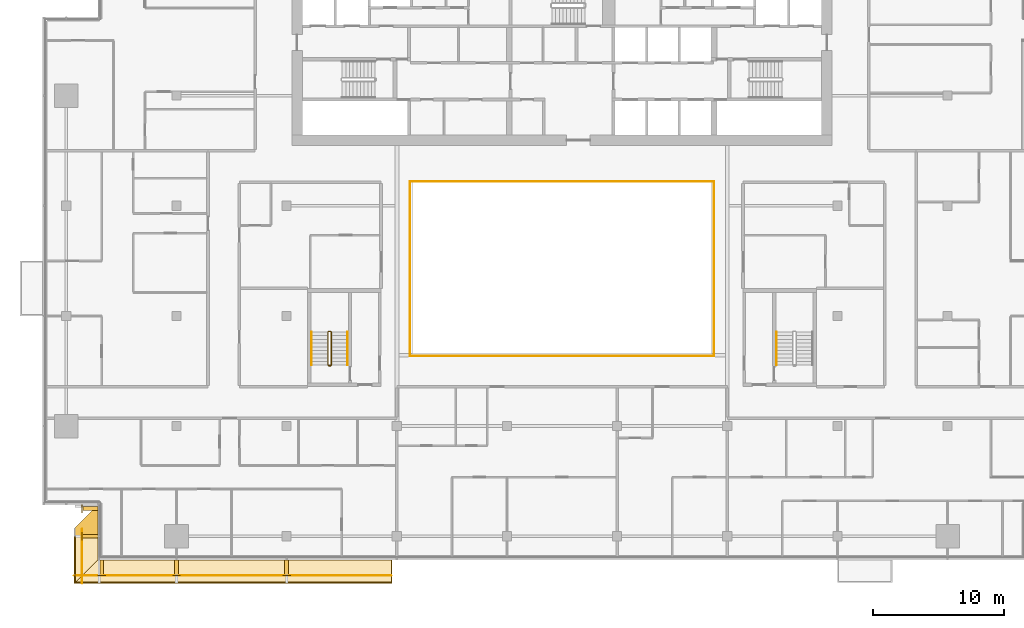
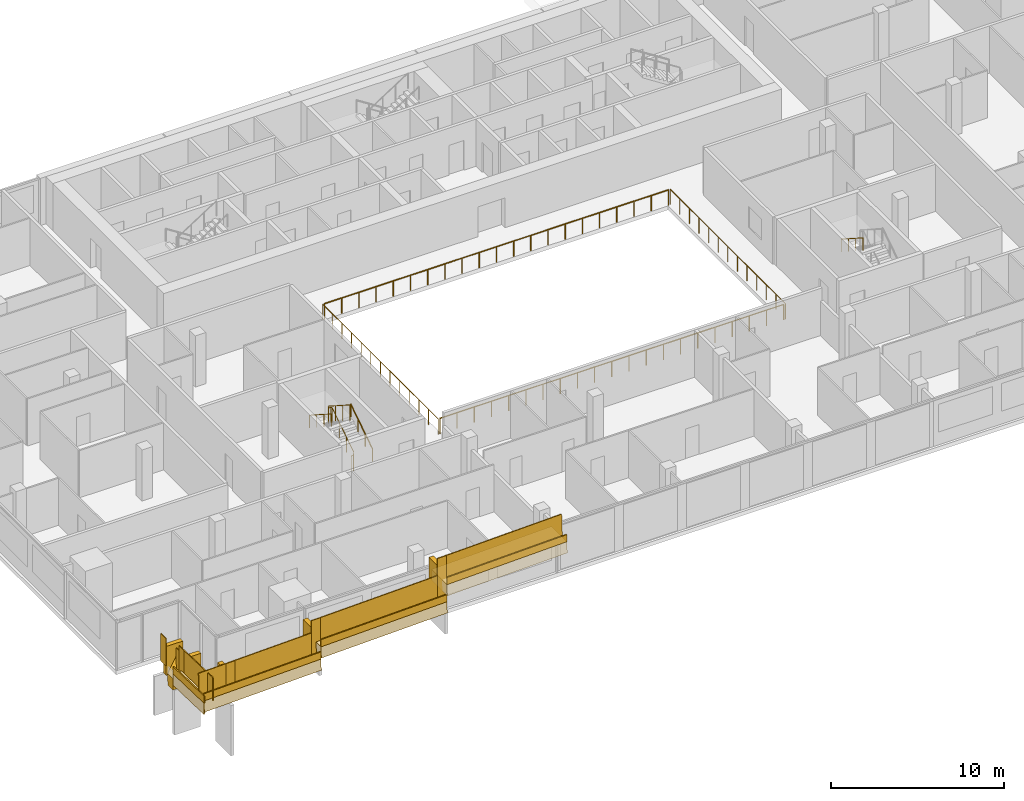
# One storey, part 26 of 30: 18 railings, 14 coverings.
"""IFC4 building model written with IfcOpenShell, lengths in metres."""

from ifc_helpers import new_model, si_unit, direction, frame, origin, origin_2d, place, context, subcontext, project, spatial, polyline, rectangle, circle, outline, extrude, material, layer, layer_set, type_object, element, save


model = new_model("IFC4")

# Units and contexts
model_context = context("Model", 3, precision=1e-05, world=origin(), true_north=direction((0.0, 1.0)))
body_context = subcontext(model_context, "Body", "Model", "MODEL_VIEW")
ifc_project = project(units=[si_unit("LENGTHUNIT", "METRE"), si_unit("AREAUNIT", "SQUARE_METRE"), si_unit("VOLUMEUNIT", "CUBIC_METRE"), si_unit("PLANEANGLEUNIT", "RADIAN"), si_unit("MASSUNIT", "GRAM", prefix="KILO")], contexts=[model_context])

# Site, building, storey
site_placement = place(None, origin())
site = spatial("IfcSite", under=ifc_project, at=site_placement, CompositionType="ELEMENT")
building_placement = place(site_placement, origin())
building = spatial("IfcBuilding", under=site, at=building_placement, Name="Saffron Gate Tower", CompositionType="ELEMENT")
storey_placement = place(building_placement, frame((0.0, 0.0, 169.050048828125)))
storey = spatial("IfcBuildingStorey", under=building, at=storey_placement, Name="L41", CompositionType="ELEMENT", Elevation=169.050048828125)

# Railings
ifc_material_1 = material(Name="Stainless steel and laminated glass", Category="steel")
railing_type_1 = type_object("IfcRailingType", Name="AG1 Atrium edge guard 1100", PredefinedType="GUARDRAIL", material=ifc_material_1)
railing_1_placement = place(storey_placement, frame((76.02001953125, 45.5400390625, 0.0)))
element("IfcRailing", 1, at=railing_1_placement, inside=storey, type_object=railing_type_1, Name="Guard C3-1", PredefinedType="GUARDRAIL", context=body_context, shape_type="SweptSolid", body=[
    extrude(circle(Radius=0.02392578125, at=origin_2d()), frame((0.0, 0.0, 1.076171875), z_axis=(0.0, 1.0, 0.0), x_axis=(-1.0, 0.0, 0.0)), (0.0, 0.0, 1.0), 13.320068359375),
    extrude(circle(Radius=0.02099609375, at=origin_2d()), origin(), (0.0, 0.0, 1.0), 1.052001953125),
    extrude(circle(Radius=0.02099609375, at=origin_2d()), frame((0.0, 1.110107421875, 0.0)), (0.0, 0.0, 1.0), 1.052001953125),
    extrude(circle(Radius=0.02099609375, at=origin_2d()), frame((0.0, 2.219970703125, 0.0)), (0.0, 0.0, 1.0), 1.052001953125),
    extrude(circle(Radius=0.02099609375, at=origin_2d()), frame((0.0, 3.330078125, 0.0)), (0.0, 0.0, 1.0), 1.052001953125),
    extrude(circle(Radius=0.02099609375, at=origin_2d()), frame((0.0, 4.43994140625, 0.0)), (0.0, 0.0, 1.0), 1.052001953125),
    extrude(circle(Radius=0.02099609375, at=origin_2d()), frame((0.0, 5.550048828125, 0.0)), (0.0, 0.0, 1.0), 1.052001953125),
    extrude(circle(Radius=0.02099609375, at=origin_2d()), frame((0.0, 6.66015625, 0.0)), (0.0, 0.0, 1.0), 1.052001953125),
    extrude(circle(Radius=0.02099609375, at=origin_2d()), frame((0.0, 7.77001953125, 0.0)), (0.0, 0.0, 1.0), 1.052001953125),
    extrude(circle(Radius=0.02099609375, at=origin_2d()), frame((0.0, 8.880126953125, 0.0)), (0.0, 0.0, 1.0), 1.052001953125),
    extrude(circle(Radius=0.02099609375, at=origin_2d()), frame((0.0, 9.989990234375, 0.0)), (0.0, 0.0, 1.0), 1.052001953125),
    extrude(circle(Radius=0.02099609375, at=origin_2d()), frame((0.0, 11.10009765625, 0.0)), (0.0, 0.0, 1.0), 1.052001953125),
    extrude(circle(Radius=0.02099609375, at=origin_2d()), frame((0.0, 12.2099609375, 0.0)), (0.0, 0.0, 1.0), 1.052001953125),
    extrude(circle(Radius=0.02099609375, at=origin_2d()), frame((0.0, 13.320068359375, 0.0)), (0.0, 0.0, 1.0), 1.052001953125),
])
railing_2_placement = place(storey_placement, frame((76.139892578125, 58.860107421875, 0.0)))
element("IfcRailing", 2, at=railing_2_placement, inside=storey, type_object=railing_type_1, Name="Guard C3-2", PredefinedType="GUARDRAIL", context=body_context, shape_type="SweptSolid", body=[
    extrude(circle(Radius=0.02392578125, at=origin_2d()), frame((0.0, 0.0, 1.076171875), z_axis=(1.0, 0.0, 0.0), x_axis=(0.0, 1.0, 0.0)), (0.0, 0.0, 1.0), 22.920166015625),
    extrude(circle(Radius=0.02099609375, at=origin_2d()), origin(), (0.0, 0.0, 1.0), 1.052001953125),
    extrude(circle(Radius=0.02099609375, at=origin_2d()), frame((1.14599609375, 0.0, 0.0)), (0.0, 0.0, 1.0), 1.052001953125),
    extrude(circle(Radius=0.02099609375, at=origin_2d()), frame((2.2919921875, 0.0, 0.0)), (0.0, 0.0, 1.0), 1.052001953125),
    extrude(circle(Radius=0.02099609375, at=origin_2d()), frame((3.43798828125, 0.0, 0.0)), (0.0, 0.0, 1.0), 1.052001953125),
    extrude(circle(Radius=0.02099609375, at=origin_2d()), frame((4.583984375, 0.0, 0.0)), (0.0, 0.0, 1.0), 1.052001953125),
    extrude(circle(Radius=0.02099609375, at=origin_2d()), frame((5.72998046875, 0.0, 0.0)), (0.0, 0.0, 1.0), 1.052001953125),
    extrude(circle(Radius=0.02099609375, at=origin_2d()), frame((6.8759765625, 0.0, 0.0)), (0.0, 0.0, 1.0), 1.052001953125),
    extrude(circle(Radius=0.02099609375, at=origin_2d()), frame((8.02197265625, 0.0, 0.0)), (0.0, 0.0, 1.0), 1.052001953125),
    extrude(circle(Radius=0.02099609375, at=origin_2d()), frame((9.16796875, 0.0, 0.0)), (0.0, 0.0, 1.0), 1.052001953125),
    extrude(circle(Radius=0.02099609375, at=origin_2d()), frame((10.31396484375, 0.0, 0.0)), (0.0, 0.0, 1.0), 1.052001953125),
    extrude(circle(Radius=0.02099609375, at=origin_2d()), frame((11.4599609375, 0.0, 0.0)), (0.0, 0.0, 1.0), 1.052001953125),
    extrude(circle(Radius=0.02099609375, at=origin_2d()), frame((12.606201171875, 0.0, 0.0)), (0.0, 0.0, 1.0), 1.052001953125),
    extrude(circle(Radius=0.02099609375, at=origin_2d()), frame((13.752197265625, 0.0, 0.0)), (0.0, 0.0, 1.0), 1.052001953125),
    extrude(circle(Radius=0.02099609375, at=origin_2d()), frame((14.898193359375, 0.0, 0.0)), (0.0, 0.0, 1.0), 1.052001953125),
    extrude(circle(Radius=0.02099609375, at=origin_2d()), frame((16.044189453125, 0.0, 0.0)), (0.0, 0.0, 1.0), 1.052001953125),
    extrude(circle(Radius=0.02099609375, at=origin_2d()), frame((17.190185546875, 0.0, 0.0)), (0.0, 0.0, 1.0), 1.052001953125),
    extrude(circle(Radius=0.02099609375, at=origin_2d()), frame((18.336181640625, 0.0, 0.0)), (0.0, 0.0, 1.0), 1.052001953125),
    extrude(circle(Radius=0.02099609375, at=origin_2d()), frame((19.482177734375, 0.0, 0.0)), (0.0, 0.0, 1.0), 1.052001953125),
    extrude(circle(Radius=0.02099609375, at=origin_2d()), frame((20.628173828125, 0.0, 0.0)), (0.0, 0.0, 1.0), 1.052001953125),
    extrude(circle(Radius=0.02099609375, at=origin_2d()), frame((21.774169921875, 0.0, 0.0)), (0.0, 0.0, 1.0), 1.052001953125),
    extrude(circle(Radius=0.02099609375, at=origin_2d()), frame((22.920166015625, 0.0, 0.0)), (0.0, 0.0, 1.0), 1.052001953125),
])
railing_3_placement = place(storey_placement, frame((99.179931640625, 58.860107421875, 0.0)))
element("IfcRailing", 3, at=railing_3_placement, inside=storey, type_object=railing_type_1, Name="Guard C3-3", PredefinedType="GUARDRAIL", context=body_context, shape_type="SweptSolid", body=[
    extrude(circle(Radius=0.02392578125, at=origin_2d()), frame((0.0, 0.0, 1.076171875), z_axis=(0.0, -1.0, 0.0), x_axis=(1.0, 0.0, 0.0)), (0.0, 0.0, 1.0), 13.320068359375),
    extrude(circle(Radius=0.02099609375, at=origin_2d()), origin(), (0.0, 0.0, 1.0), 1.052001953125),
    extrude(circle(Radius=0.02099609375, at=origin_2d()), frame((0.0, -1.110107421875, 0.0)), (0.0, 0.0, 1.0), 1.052001953125),
    extrude(circle(Radius=0.02099609375, at=origin_2d()), frame((0.0, -2.219970703125, 0.0)), (0.0, 0.0, 1.0), 1.052001953125),
    extrude(circle(Radius=0.02099609375, at=origin_2d()), frame((0.0, -3.330078125, 0.0)), (0.0, 0.0, 1.0), 1.052001953125),
    extrude(circle(Radius=0.02099609375, at=origin_2d()), frame((0.0, -4.43994140625, 0.0)), (0.0, 0.0, 1.0), 1.052001953125),
    extrude(circle(Radius=0.02099609375, at=origin_2d()), frame((0.0, -5.550048828125, 0.0)), (0.0, 0.0, 1.0), 1.052001953125),
    extrude(circle(Radius=0.02099609375, at=origin_2d()), frame((0.0, -6.66015625, 0.0)), (0.0, 0.0, 1.0), 1.052001953125),
    extrude(circle(Radius=0.02099609375, at=origin_2d()), frame((0.0, -7.77001953125, 0.0)), (0.0, 0.0, 1.0), 1.052001953125),
    extrude(circle(Radius=0.02099609375, at=origin_2d()), frame((0.0, -8.880126953125, 0.0)), (0.0, 0.0, 1.0), 1.052001953125),
    extrude(circle(Radius=0.02099609375, at=origin_2d()), frame((0.0, -9.989990234375, 0.0)), (0.0, 0.0, 1.0), 1.052001953125),
    extrude(circle(Radius=0.02099609375, at=origin_2d()), frame((0.0, -11.10009765625, 0.0)), (0.0, 0.0, 1.0), 1.052001953125),
    extrude(circle(Radius=0.02099609375, at=origin_2d()), frame((0.0, -12.2099609375, 0.0)), (0.0, 0.0, 1.0), 1.052001953125),
    extrude(circle(Radius=0.02099609375, at=origin_2d()), frame((0.0, -13.320068359375, 0.0)), (0.0, 0.0, 1.0), 1.052001953125),
])
railing_4_placement = place(storey_placement, frame((99.06005859375, 45.5400390625, 0.0)))
element("IfcRailing", 4, at=railing_4_placement, inside=storey, type_object=railing_type_1, Name="Guard C3-4", PredefinedType="GUARDRAIL", context=body_context, shape_type="SweptSolid", body=[
    extrude(circle(Radius=0.02392578125, at=origin_2d()), frame((0.0, 0.0, 1.076171875), z_axis=(-1.0, 0.0, 0.0), x_axis=(0.0, -1.0, 0.0)), (0.0, 0.0, 1.0), 22.920166015625),
    extrude(circle(Radius=0.02099609375, at=origin_2d()), origin(), (0.0, 0.0, 1.0), 1.052001953125),
    extrude(circle(Radius=0.02099609375, at=origin_2d()), frame((-1.14599609375, 0.0, 0.0)), (0.0, 0.0, 1.0), 1.052001953125),
    extrude(circle(Radius=0.02099609375, at=origin_2d()), frame((-2.2919921875, 0.0, 0.0)), (0.0, 0.0, 1.0), 1.052001953125),
    extrude(circle(Radius=0.02099609375, at=origin_2d()), frame((-3.43798828125, 0.0, 0.0)), (0.0, 0.0, 1.0), 1.052001953125),
    extrude(circle(Radius=0.02099609375, at=origin_2d()), frame((-4.583984375, 0.0, 0.0)), (0.0, 0.0, 1.0), 1.052001953125),
    extrude(circle(Radius=0.02099609375, at=origin_2d()), frame((-5.72998046875, 0.0, 0.0)), (0.0, 0.0, 1.0), 1.052001953125),
    extrude(circle(Radius=0.02099609375, at=origin_2d()), frame((-6.8759765625, 0.0, 0.0)), (0.0, 0.0, 1.0), 1.052001953125),
    extrude(circle(Radius=0.02099609375, at=origin_2d()), frame((-8.02197265625, 0.0, 0.0)), (0.0, 0.0, 1.0), 1.052001953125),
    extrude(circle(Radius=0.02099609375, at=origin_2d()), frame((-9.16796875, 0.0, 0.0)), (0.0, 0.0, 1.0), 1.052001953125),
    extrude(circle(Radius=0.02099609375, at=origin_2d()), frame((-10.31396484375, 0.0, 0.0)), (0.0, 0.0, 1.0), 1.052001953125),
    extrude(circle(Radius=0.02099609375, at=origin_2d()), frame((-11.4599609375, 0.0, 0.0)), (0.0, 0.0, 1.0), 1.052001953125),
    extrude(circle(Radius=0.02099609375, at=origin_2d()), frame((-12.606201171875, 0.0, 0.0)), (0.0, 0.0, 1.0), 1.052001953125),
    extrude(circle(Radius=0.02099609375, at=origin_2d()), frame((-13.752197265625, 0.0, 0.0)), (0.0, 0.0, 1.0), 1.052001953125),
    extrude(circle(Radius=0.02099609375, at=origin_2d()), frame((-14.898193359375, 0.0, 0.0)), (0.0, 0.0, 1.0), 1.052001953125),
    extrude(circle(Radius=0.02099609375, at=origin_2d()), frame((-16.044189453125, 0.0, 0.0)), (0.0, 0.0, 1.0), 1.052001953125),
    extrude(circle(Radius=0.02099609375, at=origin_2d()), frame((-17.190185546875, 0.0, 0.0)), (0.0, 0.0, 1.0), 1.052001953125),
    extrude(circle(Radius=0.02099609375, at=origin_2d()), frame((-18.336181640625, 0.0, 0.0)), (0.0, 0.0, 1.0), 1.052001953125),
    extrude(circle(Radius=0.02099609375, at=origin_2d()), frame((-19.482177734375, 0.0, 0.0)), (0.0, 0.0, 1.0), 1.052001953125),
    extrude(circle(Radius=0.02099609375, at=origin_2d()), frame((-20.628173828125, 0.0, 0.0)), (0.0, 0.0, 1.0), 1.052001953125),
    extrude(circle(Radius=0.02099609375, at=origin_2d()), frame((-21.774169921875, 0.0, 0.0)), (0.0, 0.0, 1.0), 1.052001953125),
    extrude(circle(Radius=0.02099609375, at=origin_2d()), frame((-22.920166015625, 0.0, 0.0)), (0.0, 0.0, 1.0), 1.052001953125),
])
railing_type_2 = type_object("IfcRailingType", Name="CR1 Stair guard 1100", PredefinedType="GUARDRAIL", material=ifc_material_1)
railing_5_placement = place(storey_placement, frame((69.800048828125, 44.800048828125, 0.0)))
element("IfcRailing", 5, at=railing_5_placement, inside=storey, type_object=railing_type_2, Name="L41 ST-D stair guard 1", PredefinedType="GUARDRAIL", context=body_context, shape_type="SweptSolid", body=[
    extrude(circle(Radius=0.02392578125, at=origin_2d()), frame((0.0, 0.0, 1.076171875), z_axis=(1.0, 0.0, 0.0), x_axis=(0.0, 1.0, 0.0)), (0.0, 0.0, 1.0), 0.14990234375),
    extrude(circle(Radius=0.02392578125, at=origin_2d()), frame((0.14990234375, 0.0, 1.076171875), z_axis=(0.258847668887, 0.258847668887, 0.930588936439), x_axis=(-0.707106781187, 0.707106781187, 0.0)), (0.0, 0.0, 1.0), 0.193359375),
    extrude(circle(Radius=0.02392578125, at=origin_2d()), frame((0.199951171875, 0.050048828125, 1.255859375), z_axis=(0.0, 0.841162588446, 0.540782303519), x_axis=(-1.0, 0.0, 0.0)), (0.0, 0.0, 1.0), 2.995849609375),
    extrude(circle(Radius=0.02392578125, at=origin_2d()), frame((0.199951171875, 2.570068359375, 2.8759765625), z_axis=(-0.708833529934, 0.705375805398, 0.0), x_axis=(-0.705375805398, -0.708833529934, 0.0)), (0.0, 0.0, 1.0), 0.070556640625),
    extrude(circle(Radius=0.02392578125, at=origin_2d()), frame((0.14990234375, 2.619873046875, 2.8759765625), z_axis=(-1.0, 0.0, 0.0), x_axis=(0.0, -1.0, 0.0)), (0.0, 0.0, 1.0), 0.14990234375),
    extrude(circle(Radius=0.02392578125, at=origin_2d()), frame((0.0, 2.619873046875, 2.8759765625), z_axis=(-0.258932105505, -0.257669022063, 0.930892496375), x_axis=(0.705375805398, -0.708833529934, 0.0)), (0.0, 0.0, 1.0), 0.193359375),
    extrude(circle(Radius=0.02392578125, at=origin_2d()), frame((-0.050048828125, 2.570068359375, 3.05615234375), z_axis=(0.0, -0.841199657755, 0.540724639528), x_axis=(1.0, 0.0, 0.0)), (0.0, 0.0, 1.0), 2.995849609375),
    extrude(circle(Radius=0.02099609375, at=origin_2d()), origin(), (0.0, 0.0, 1.0), 1.052001953125),
    extrude(circle(Radius=0.02099609375, at=origin_2d()), frame((0.14990234375, 0.0, 0.0)), (0.0, 0.0, 1.0), 1.052001953125),
    extrude(circle(Radius=0.02099609375, at=origin_2d()), frame((0.199951171875, 0.050048828125, 0.179931640625)), (0.0, 0.0, 1.0), 1.052001953125),
    extrude(circle(Radius=0.02099609375, at=origin_2d()), frame((0.199951171875, 0.89013671875, 0.719970703125)), (0.0, 0.0, 1.0), 1.052001953125),
    extrude(circle(Radius=0.02099609375, at=origin_2d()), frame((0.199951171875, 1.72998046875, 1.260009765625)), (0.0, 0.0, 1.0), 1.052001953125),
    extrude(circle(Radius=0.02099609375, at=origin_2d()), frame((0.199951171875, 2.570068359375, 1.800048828125)), (0.0, 0.0, 1.0), 1.052001953125),
    extrude(circle(Radius=0.02099609375, at=origin_2d()), frame((0.14990234375, 2.619873046875, 1.800048828125)), (0.0, 0.0, 1.0), 1.052001953125),
    extrude(circle(Radius=0.02099609375, at=origin_2d()), frame((0.0, 2.619873046875, 1.800048828125)), (0.0, 0.0, 1.0), 1.052001953125),
    extrude(circle(Radius=0.02099609375, at=origin_2d()), frame((-0.050048828125, 2.570068359375, 1.97998046875)), (0.0, 0.0, 1.0), 1.052001953125),
    extrude(circle(Radius=0.02099609375, at=origin_2d()), frame((-0.050048828125, 1.72998046875, 2.52001953125)), (0.0, 0.0, 1.0), 1.052001953125),
    extrude(circle(Radius=0.02099609375, at=origin_2d()), frame((-0.050048828125, 0.89013671875, 3.059814453125)), (0.0, 0.0, 1.0), 1.052001953125),
    extrude(circle(Radius=0.02099609375, at=origin_2d()), frame((-0.050048828125, 0.050048828125, 3.599853515625)), (0.0, 0.0, 1.0), 1.052001953125),
])
ifc_material_2 = material(Name="Stainless steel", Category="steel")
railing_type_3 = type_object("IfcRailingType", Name="CR2 Stair handrail 900", PredefinedType="HANDRAIL", material=ifc_material_2)
railing_6_placement = place(storey_placement, frame((71.25, 44.85009765625, 0.179931640625)))
element("IfcRailing", 6, at=railing_6_placement, inside=storey, type_object=railing_type_3, Name="L41 ST-D stair handrail 1", PredefinedType="HANDRAIL", context=body_context, shape_type="SweptSolid", body=[
    extrude(circle(Radius=0.02392578125, at=origin_2d()), frame((0.0, 0.0, 0.8759765625), z_axis=(0.0, 0.841162588446, 0.540782303519), x_axis=(-1.0, 0.0, 0.0)), (0.0, 0.0, 1.0), 2.995849609375),
    extrude(circle(Radius=0.02099609375, at=origin_2d()), origin(), (0.0, 0.0, 1.0), 0.851806640625),
    extrude(circle(Radius=0.02099609375, at=origin_2d()), frame((0.0, 0.840087890625, 0.5400390625)), (0.0, 0.0, 1.0), 0.851806640625),
    extrude(circle(Radius=0.02099609375, at=origin_2d()), frame((0.0, 1.679931640625, 1.080078125)), (0.0, 0.0, 1.0), 0.851806640625),
    extrude(circle(Radius=0.02099609375, at=origin_2d()), frame((0.0, 2.52001953125, 1.6201171875)), (0.0, 0.0, 1.0), 0.851806640625),
])
for number, where, name in (
    (7, (68.5, 47.3701171875, 1.97998046875), "L41 ST-D stair handrail 2"),
    (8, (103.949951171875, 47.3701171875, 1.97998046875), "L41 ST-E stair handrail 2"),
):
    element("IfcRailing", number, at=place(storey_placement, frame(where)), inside=storey, type_object=railing_type_3, Name=name, PredefinedType="HANDRAIL", context=body_context, shape_type="SweptSolid", body=[
        extrude(circle(Radius=0.02392578125, at=origin_2d()), frame((0.0, 0.0, 0.8759765625), z_axis=(0.0, -0.841199657755, 0.540724639528), x_axis=(1.0, 0.0, 0.0)), (0.0, 0.0, 1.0), 2.995849609375),
        extrude(circle(Radius=0.02099609375, at=origin_2d()), origin(), (0.0, 0.0, 1.0), 0.851806640625),
        extrude(circle(Radius=0.02099609375, at=origin_2d()), frame((0.0, -0.840087890625, 0.5400390625)), (0.0, 0.0, 1.0), 0.851806640625),
        extrude(circle(Radius=0.02099609375, at=origin_2d()), frame((0.0, -1.679931640625, 1.079833984375)), (0.0, 0.0, 1.0), 0.851806640625),
        extrude(circle(Radius=0.02099609375, at=origin_2d()), frame((0.0, -2.52001953125, 1.619873046875)), (0.0, 0.0, 1.0), 0.851806640625),
    ])

# Coverings
ifc_material_3 = material(Name="Timber, thermally modified ash", Category="wood")
ifc_layer_1 = layer(ifc_material_3, 0.800048828125)
ifc_layer_set_1 = layer_set([ifc_layer_1], Name="LD1 ledge timber")
covering_type_1 = type_object("IfcCoveringType", Name="LD1 ledge timber", PredefinedType="CLADDING", material=ifc_layer_set_1)
covering_1_placement = place(storey_placement, frame((52.199951171875, 34.199951171875, 0.0078125), z_axis=(-2.8677152e-05, 0.028798988267, 0.999585222706), x_axis=(-6.17e-10, -0.999585223117, 0.028798988279)))
element("IfcCovering", 9, at=covering_1_placement, inside=storey, type_object=covering_type_1, Name="LEDGE", PredefinedType="CLADDING", context=body_context, shape_type="SweptSolid", body=[
    extrude(outline(polyline([(0.0, 0.0), (2.400896693585025, -4.235164736271502e-22), (2.400896694694882, -1.8000488273848385), (1.8007927832284332, -1.8000488292351673), (0.0, 0.0)])), origin(), (0.0, 0.0, -1.0), 0.800048828125),
])
covering_2_placement = place(storey_placement, frame((52.199951171875, 31.800048828125, 0.419921875), z_axis=(4.5191264e-05, 0.028786835276, 0.999585572161), x_axis=(2.041e-09, -0.999585573182, 0.028786835305)))
element("IfcCovering", 10, at=covering_2_placement, inside=storey, type_object=covering_type_1, Name="LEDGE", PredefinedType="CLADDING", context=body_context, shape_type="SweptSolid", body=[
    extrude(outline(polyline([(0.0, 0.0), (1.8007927832406818, 0.0), (3.601592590842695, -1.8000488373153904), (-3.674631647332522e-09, -1.800048826286925), (0.0, 0.0)])), origin(), (0.0, 0.0, -1.0), 0.800048828125),
])
covering_3_placement = place(storey_placement, frame((52.199951171875, 30.0, 0.72900390625), z_axis=(-0.028807146299, -3.5027307e-05, 0.99958498743), x_axis=(0.999584988043, -3.68e-10, 0.028807146316)))
element("IfcCovering", 11, at=covering_3_placement, inside=storey, type_object=covering_type_1, Name="LEDGE", PredefinedType="CLADDING", context=body_context, shape_type="SweptSolid", body=[
    extrude(outline(polyline([(0.0, 0.0), (6.0024892885105, 2.541098841762901e-21), (6.002489289172793, -1.8000488270207489), (-1.800799813548424, -1.8000488321003227), (0.0, 0.0)])), origin(), (0.0, 0.0, -1.0), 0.800048828125),
])
covering_4_placement = place(storey_placement, frame((58.199951171875, 30.0, 1.75927734375), z_axis=(-0.028790339263, 0.0, 0.999585472266), x_axis=(0.999585472266, 0.0, 0.028790339263)))
element("IfcCovering", 12, at=covering_4_placement, inside=storey, type_object=covering_type_1, Name="LEDGE", PredefinedType="CLADDING", context=body_context, shape_type="SweptSolid", body=[
    extrude(outline(polyline([(0.0, 0.0), (8.403630022085892, 0.0), (8.403630022085892, -1.800048828125), (0.0, -1.800048828125), (0.0, 0.0)])), origin(), (0.0, 0.0, -1.0), 0.800048828125),
])
covering_5_placement = place(storey_placement, frame((66.60009765625, 30.0, 3.20166015625), z_axis=(-0.028766166889, 0.0, 0.999586168193), x_axis=(0.999586168193, 0.0, 0.028766166889)))
element("IfcCovering", 13, at=covering_5_placement, inside=storey, type_object=covering_type_1, Name="LEDGE", PredefinedType="CLADDING", context=body_context, shape_type="SweptSolid", body=[
    extrude(outline(polyline([(0.0, 0.0), (8.003312025078236, 0.0), (8.003312025078236, -1.800048828125), (0.0, -1.800048828125), (0.0, 0.0)])), origin(), (0.0, 0.0, -1.0), 0.800048828125),
])
ifc_layer_2 = layer(ifc_material_3, 0.080078125)
ifc_layer_set_2 = layer_set([ifc_layer_2], Name="LD2 ledge planter trough")
covering_type_2 = type_object("IfcCoveringType", Name="LD2 ledge planter trough", PredefinedType="CLADDING", material=ifc_layer_set_2)
covering_6_placement = place(storey_placement, frame((50.39990234375, 31.800048828125, 0.419921875), z_axis=(-1.0, 0.0, 0.0), x_axis=(0.0, -0.99958492274, 0.028809412191)))
element("IfcCovering", 14, at=covering_6_placement, inside=storey, type_object=covering_type_2, Name="LEDGE planter trough", PredefinedType="CLADDING", context=body_context, shape_type="SweptSolid", body=[
    extrude(outline(polyline([(0.0, 0.0), (3.601592595435983, 0.0), (3.6159973015313485, 0.4997924613700232), (0.014404706095365512, 0.4997924613700232), (0.0, 0.0)])), origin(), (0.0, 0.0, -1.0), 0.080078125),
])
covering_7_placement = place(storey_placement, frame((50.39990234375, 28.199951171875, 0.677001953125), z_axis=(0.0, -1.0, 0.0), x_axis=(0.999584755248, 0.0, 0.028815222999)))
element("IfcCovering", 15, at=covering_7_placement, inside=storey, type_object=covering_type_2, Name="LEDGE planter trough", PredefinedType="CLADDING", context=body_context, shape_type="SweptSolid", body=[
    extrude(outline(polyline([(0.0, 0.0), (7.803289102975944, 0.0), (7.8176967144752565, 0.4997923776238338), (0.014407611499312996, 0.4997923776238338), (0.0, 0.0)])), origin(), (0.0, 0.0, -1.0), 0.080078125),
])
covering_8_placement = place(storey_placement, frame((58.199951171875, 28.199951171875, 1.75927734375), z_axis=(0.0, -1.0, 0.0), x_axis=(0.999585472266, 0.0, 0.028790339263)))
element("IfcCovering", 16, at=covering_8_placement, inside=storey, type_object=covering_type_2, Name="LEDGE planter trough", PredefinedType="CLADDING", context=body_context, shape_type="SweptSolid", body=[
    extrude(outline(polyline([(0.0, 0.0), (8.403630022085892, 0.0), (8.418025191717298, 0.4997927361329725), (0.014395169631405694, 0.4997927361329725), (0.0, 0.0)])), origin(), (0.0, 0.0, -1.0), 0.080078125),
])
covering_9_placement = place(storey_placement, frame((66.60009765625, 28.199951171875, 3.20166015625), z_axis=(0.0, -1.0, 0.0), x_axis=(0.999586168193, 0.0, 0.028766166889)))
element("IfcCovering", 17, at=covering_9_placement, inside=storey, type_object=covering_type_2, Name="LEDGE planter trough", PredefinedType="CLADDING", context=body_context, shape_type="SweptSolid", body=[
    extrude(outline(polyline([(0.0, 0.0), (8.003312025078236, 0.0), (8.017695108522538, 0.4997930840964431), (0.014383083444303767, 0.4997930840964431), (0.0, 0.0)])), origin(), (0.0, 0.0, -1.0), 0.080078125),
])
ifc_layer_3 = layer(ifc_material_3, 0.300048828125)
ifc_layer_set_3 = layer_set([ifc_layer_3], Name="LD3 ledge riser fin")
covering_type_3 = type_object("IfcCoveringType", Name="LD3 ledge riser fin", PredefinedType="CLADDING", material=ifc_layer_set_3)
for number, where, z_axis, x_axis, name in (
    (18, (51.639892578125, 33.89990234375, -1.13525390625), (0.0, 0.0, 1.0), (0.0, -1.0, 0.0), "LEDGE riser fin"),
    (19, (51.639892578125, 31.800048828125, -0.72314453125), (0.0, 0.0, 1.0), (0.0, -1.0, 0.0), "LEDGE riser fin"),
):
    element("IfcCovering", number, at=place(storey_placement, frame(where, z_axis=z_axis, x_axis=x_axis)), inside=storey, type_object=covering_type_3, Name=name, PredefinedType="CLADDING", context=body_context, shape_type="SweptSolid", body=[
        extrude(rectangle(XDim=0.300048828125, YDim=1.1201171875, at=origin_2d()), origin(), (0.0, 0.0, 1.0), 2.04296875),
    ])
covering_10_placement = place(storey_placement, frame((52.5, 29.43994140625, -0.328125), z_axis=(0.0, 0.0, 1.0), x_axis=(1.0, 0.0, 0.0)))
element("IfcCovering", 20, at=covering_10_placement, inside=storey, type_object=covering_type_3, Name="LEDGE riser fin", PredefinedType="CLADDING", context=body_context, shape_type="SweptSolid", body=[
    extrude(rectangle(XDim=0.300048828125, YDim=1.1201171875, at=origin_2d()), origin(), (0.0, 0.0, 1.0), 1.957275390625),
])
covering_11_placement = place(storey_placement, frame((58.199951171875, 29.43994140625, 0.10205078125), z_axis=(0.0, 0.0, 1.0), x_axis=(1.0, 0.0, 0.0)))
element("IfcCovering", 21, at=covering_11_placement, inside=storey, type_object=covering_type_3, Name="LEDGE riser fin", PredefinedType="CLADDING", context=body_context, shape_type="SweptSolid", body=[
    extrude(rectangle(XDim=0.300048828125, YDim=1.1201171875, at=origin_2d()), origin(), (0.0, 0.0, 1.0), 2.557373046875),
])
covering_12_placement = place(storey_placement, frame((66.60009765625, 29.43994140625, 1.201171875), z_axis=(0.0, 0.0, 1.0), x_axis=(1.0, 0.0, 0.0)))
element("IfcCovering", 22, at=covering_12_placement, inside=storey, type_object=covering_type_3, Name="LEDGE riser fin", PredefinedType="CLADDING", context=body_context, shape_type="SweptSolid", body=[
    extrude(rectangle(XDim=0.300048828125, YDim=1.1201171875, at=origin_2d()), origin(), (0.0, 0.0, 1.0), 2.900390625),
])

# Railings
railing_type_4 = type_object("IfcRailingType", Name="LG1 ledge balustrade", PredefinedType="BALUSTRADE", material=ifc_material_3)
railing_7_placement = place(storey_placement, frame((51.0, 32.39990234375, 0.0595703125)))
element("IfcRailing", 23, at=railing_7_placement, inside=storey, type_object=railing_type_4, Name="LEDGE BALUSTRADE", PredefinedType="BALUSTRADE", context=body_context, shape_type="SweptSolid", body=[
    extrude(rectangle(XDim=0.06005859375, YDim=1.60009765625, at=origin_2d()), frame((0.0, 0.0, 0.800048828125), z_axis=(0.0, -0.999582742162, 0.028884971385), x_axis=(1.0, 0.0, 0.0)), (0.0, 0.0, 1.0), 0.60009765625),
])
railing_8_placement = place(storey_placement, frame((51.0, 34.199951171875, -0.335205078125)))
element("IfcRailing", 24, at=railing_8_placement, inside=storey, type_object=railing_type_4, Name="LEDGE BALUSTRADE", PredefinedType="BALUSTRADE", context=body_context, shape_type="SweptSolid", body=[
    extrude(rectangle(XDim=0.06005859375, YDim=1.943115234375, at=origin_2d()), frame((0.0, 0.0, 0.9716796875), z_axis=(0.0, -1.0, 0.0), x_axis=(1.0, 0.0, 0.0)), (0.0, 0.0, 1.0), 0.599853515625),
])
railing_9_placement = place(storey_placement, frame((51.0, 31.800048828125, 0.419921875)))
element("IfcRailing", 25, at=railing_9_placement, inside=storey, type_object=railing_type_4, Name="LEDGE BALUSTRADE", PredefinedType="BALUSTRADE", context=body_context, shape_type="SweptSolid", body=[
    extrude(rectangle(XDim=0.06005859375, YDim=1.60009765625, at=origin_2d()), frame((0.0, 0.0, 0.800048828125), z_axis=(0.0, -0.99958492274, 0.028809412191), x_axis=(1.0, 0.0, 0.0)), (0.0, 0.0, 1.0), 3.6015625),
])
railing_10_placement = place(storey_placement, frame((51.0, 32.10009765625, 0.076904296875)))
element("IfcRailing", 26, at=railing_10_placement, inside=storey, type_object=railing_type_4, Name="LEDGE BALUSTRADE", PredefinedType="BALUSTRADE", context=body_context, shape_type="SweptSolid", body=[
    extrude(rectangle(XDim=0.06005859375, YDim=1.943115234375, at=origin_2d()), frame((0.0, 0.0, 0.9716796875), z_axis=(0.0, -1.0, 0.0), x_axis=(1.0, 0.0, 0.0)), (0.0, 0.0, 1.0), 0.60009765625),
])
railing_11_placement = place(storey_placement, frame((50.39990234375, 28.800048828125, 0.677001953125)))
element("IfcRailing", 27, at=railing_11_placement, inside=storey, type_object=railing_type_4, Name="LEDGE BALUSTRADE", PredefinedType="BALUSTRADE", context=body_context, shape_type="SweptSolid", body=[
    extrude(rectangle(XDim=0.06005859375, YDim=1.60009765625, at=origin_2d()), frame((0.0, 0.0, 0.800048828125), z_axis=(0.999584755248, 0.0, 0.028815222999), x_axis=(0.0, 1.0, 0.0)), (0.0, 0.0, 1.0), 7.80322265625),
])
railing_12_placement = place(storey_placement, frame((52.199951171875, 28.800048828125, 0.4716796875)))
element("IfcRailing", 28, at=railing_12_placement, inside=storey, type_object=railing_type_4, Name="LEDGE BALUSTRADE", PredefinedType="BALUSTRADE", context=body_context, shape_type="SweptSolid", body=[
    extrude(rectangle(XDim=0.06005859375, YDim=1.857177734375, at=origin_2d()), frame((0.0, 0.0, 0.9287109375), z_axis=(1.0, 0.0, 0.0), x_axis=(0.0, 1.0, 0.0)), (0.0, 0.0, 1.0), 0.60009765625),
])
railing_13_placement = place(storey_placement, frame((58.199951171875, 28.800048828125, 1.75927734375)))
element("IfcRailing", 29, at=railing_13_placement, inside=storey, type_object=railing_type_4, Name="LEDGE BALUSTRADE", PredefinedType="BALUSTRADE", context=body_context, shape_type="SweptSolid", body=[
    extrude(rectangle(XDim=0.06005859375, YDim=1.60009765625, at=origin_2d()), frame((0.0, 0.0, 0.800048828125), z_axis=(0.999585472266, 0.0, 0.028790339263), x_axis=(0.0, 1.0, 0.0)), (0.0, 0.0, 1.0), 8.403564453125),
])
railing_14_placement = place(storey_placement, frame((57.89990234375, 28.800048828125, 0.90185546875)))
element("IfcRailing", 30, at=railing_14_placement, inside=storey, type_object=railing_type_4, Name="LEDGE BALUSTRADE", PredefinedType="BALUSTRADE", context=body_context, shape_type="SweptSolid", body=[
    extrude(rectangle(XDim=0.06005859375, YDim=2.45751953125, at=origin_2d()), frame((0.0, 0.0, 1.228759765625), z_axis=(1.0, 0.0, 0.0), x_axis=(0.0, 1.0, 0.0)), (0.0, 0.0, 1.0), 0.60009765625),
])
railing_15_placement = place(storey_placement, frame((66.60009765625, 28.800048828125, 3.20166015625)))
element("IfcRailing", 31, at=railing_15_placement, inside=storey, type_object=railing_type_4, Name="LEDGE BALUSTRADE", PredefinedType="BALUSTRADE", context=body_context, shape_type="SweptSolid", body=[
    extrude(rectangle(XDim=0.06005859375, YDim=1.60009765625, at=origin_2d()), frame((0.0, 0.0, 0.800048828125), z_axis=(0.999586168193, 0.0, 0.028766166889), x_axis=(0.0, 1.0, 0.0)), (0.0, 0.0, 1.0), 8.00341796875),
])
railing_16_placement = place(storey_placement, frame((66.300048828125, 28.800048828125, 2.001220703125)))
element("IfcRailing", 32, at=railing_16_placement, inside=storey, type_object=railing_type_4, Name="LEDGE BALUSTRADE", PredefinedType="BALUSTRADE", context=body_context, shape_type="SweptSolid", body=[
    extrude(rectangle(XDim=0.06005859375, YDim=2.80029296875, at=origin_2d()), frame((0.0, 0.0, 1.400146484375), z_axis=(1.0, 0.0, 0.0), x_axis=(0.0, 1.0, 0.0)), (0.0, 0.0, 1.0), 0.599853515625),
])

save(model, "model.ifc")
